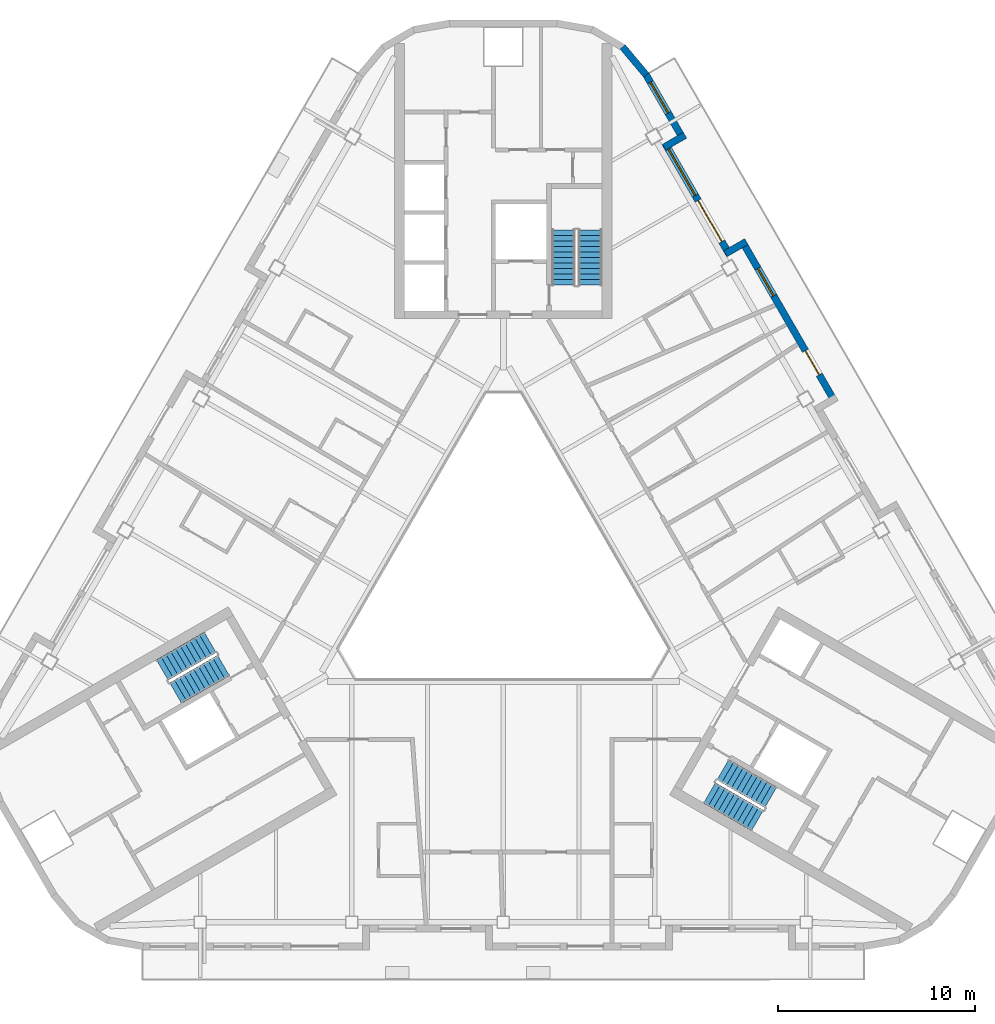
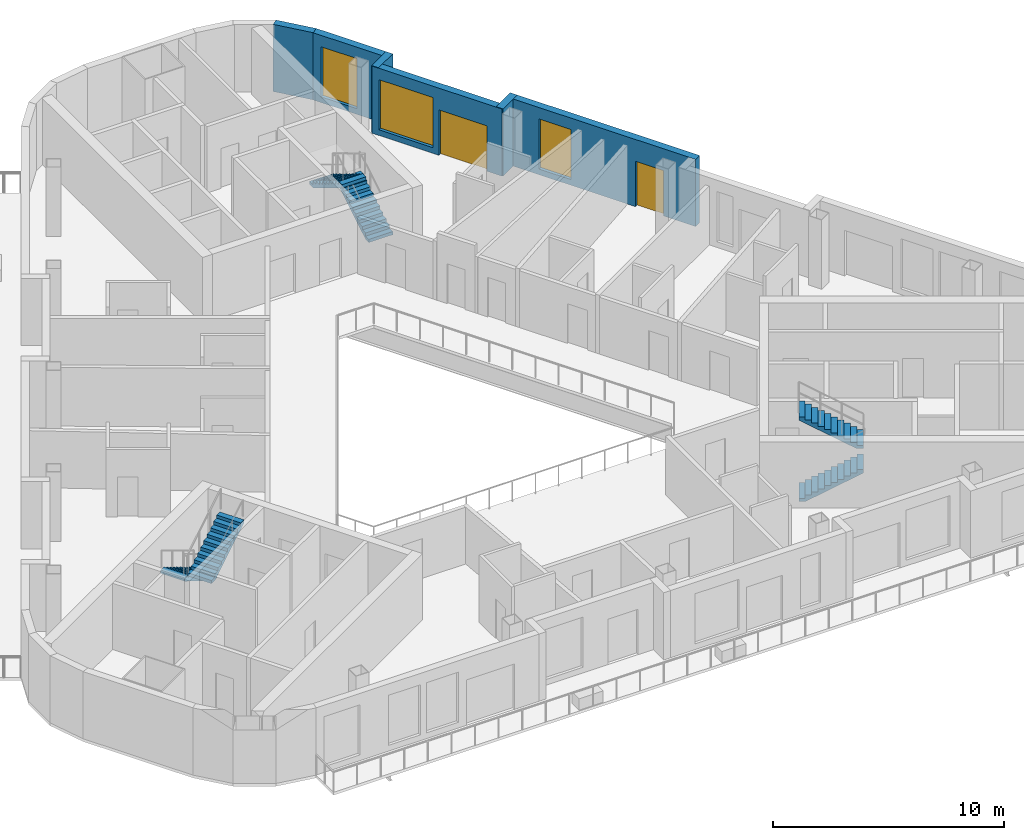
# One storey, part 8 of 14: 6 stair flights, 6 walls, 3 windows, 2 doors, 5 openings, 3 elements without a shape of their own.
"""IFC4 building model written with IfcOpenShell, lengths in metres."""

from ifc_helpers import new_model, si_unit, direction, frame, frame_2d, origin, place, context, subcontext, project, spatial, polyline, rectangle, outline, extrude, material, layer, layer_set, type_object, element, fill, aggregate, save


model = new_model("IFC4")

# Units and contexts
model_context = context("Model", 3, precision=1e-05, world=origin(), true_north=direction((0.0, 1.0)))
body_context = subcontext(model_context, "Body", "Model", "MODEL_VIEW")
ifc_project = project(units=[si_unit("LENGTHUNIT", "METRE"), si_unit("AREAUNIT", "SQUARE_METRE"), si_unit("VOLUMEUNIT", "CUBIC_METRE"), si_unit("PLANEANGLEUNIT", "RADIAN"), si_unit("MASSUNIT", "GRAM", prefix="KILO")], contexts=[model_context])

# Site, building, storey
site_placement = place(None, origin())
site = spatial("IfcSite", under=ifc_project, at=site_placement, CompositionType="ELEMENT")
building_placement = place(site_placement, origin())
building = spatial("IfcBuilding", under=site, at=building_placement, Name="Apuvela Tower Hotel", CompositionType="ELEMENT")
storey_placement = place(building_placement, frame((0.0, 0.0, 261.5)))
storey = spatial("IfcBuildingStorey", under=building, at=storey_placement, Name="L64", CompositionType="ELEMENT", Elevation=261.5)

# Wall, openings, door, window
ifc_material_1 = material(Name="Concrete C40/50, dark pigmented precast panel", Category="concrete")
ifc_layer = layer(ifc_material_1, 0.35009765625)
ifc_layer_set = layer_set([ifc_layer], Name="ENV-WALL-350")
wall_type = type_object("IfcWallType", Name="ENV-WALL-350", PredefinedType="SOLIDWALL", material=ifc_layer_set)
wall_1_placement = place(storey_placement, frame((16.807373046875, 8.66455078125, 0.0), z_axis=(0.0, 0.0, 1.0), x_axis=(-0.499992427901, 0.866029775494, 0.0)))
wall_1 = element("IfcWall", 1, at=wall_1_placement, inside=storey, type_object=wall_type, Name="External wall L64-37", PredefinedType="SOLIDWALL", context=body_context, shape_type="SweptSolid", body=[
    extrude(rectangle(XDim=9.471923828125, YDim=0.35009765625, at=frame_2d((4.73583984375, 0.0))), origin(), (0.0, 0.0, 1.0), 3.550048828125),
])
opening_1_placement = place(wall_1_placement, frame((1.6123046875, 0.0, 0.0)))
opening_1 = element("IfcOpeningElement", 2, at=opening_1_placement, cuts=wall_1, Name="Opening BD14", PredefinedType="OPENING", context=body_context, shape_type="SweptSolid", body=[
    extrude(rectangle(XDim=1.39990234375, YDim=2.39990234375, at=frame_2d((0.699951171875, 1.199951171875))), frame((0.0, 0.18505859375, 0.0), z_axis=(0.0, -1.0, 0.0), x_axis=(1.0, 0.0, 0.0)), (0.0, 0.0, 1.0), 0.3701171875),
])
opening_2_placement = place(wall_1_placement, frame((6.23046875, 0.0, 0.300048828125)))
opening_2 = element("IfcOpeningElement", 3, at=opening_2_placement, cuts=wall_1, Name="Opening WN16", PredefinedType="OPENING", context=body_context, shape_type="SweptSolid", body=[
    extrude(rectangle(XDim=1.60009765625, YDim=2.64990234375, at=frame_2d((0.800048828125, 1.324951171875))), frame((0.0, 0.18505859375, 0.0), z_axis=(0.0, -1.0, 0.0), x_axis=(1.0, 0.0, 0.0)), (0.0, 0.0, 1.0), 0.3701171875),
])
ifc_material_2 = material(Name="Aluminium 6063-T6, dark bronze anodised frame with dark tinted laminated glass", Category="aluminium")
door_type_1 = type_object("IfcDoorType", Name="ENV-DOOR-BALCONY-1400x2400", OperationType="SLIDING_TO_LEFT", PredefinedType="DOOR", material=ifc_material_2)
door_1_placement = place(opening_1_placement, frame((1.39990234375, 0.0, 0.0), z_axis=(0.0, 0.0, 1.0), x_axis=(-1.0, 0.0, 0.0)))
door_1 = element("IfcDoor", 4, at=door_1_placement, inside=storey, type_object=door_type_1, Name="Balcony door BD14", OperationType="SLIDING_TO_LEFT", OverallHeight=2.39990234375, OverallWidth=1.39990234375, PredefinedType="DOOR", context=body_context, shape_type="SweptSolid", body=[
    extrude(rectangle(XDim=1.39990234375, YDim=2.39990234375, at=frame_2d((0.699951171875, 1.199951171875))), frame((0.0, 0.02490234375, 0.0), z_axis=(0.0, -1.0, 0.0), x_axis=(1.0, 0.0, 0.0)), (0.0, 0.0, 1.0), 0.050048828125),
])
fill(opening_1, door_1)
ifc_material_3 = material(Name="Glass, dark tinted laminated insulated glazing unit", Category="glass")
window_type_1 = type_object("IfcWindowType", Name="ENV-WIN-1600x2650", PartitioningType="SINGLE_PANEL", PredefinedType="WINDOW", material=ifc_material_3)
window_1_placement = place(opening_2_placement, origin())
window_1 = element("IfcWindow", 5, at=window_1_placement, inside=storey, type_object=window_type_1, Name="Window WN16", OverallHeight=2.64990234375, OverallWidth=1.60009765625, PartitioningType="SINGLE_PANEL", PredefinedType="WINDOW", context=body_context, shape_type="SweptSolid", body=[
    extrude(rectangle(XDim=1.60009765625, YDim=2.64990234375, at=frame_2d((0.800048828125, 1.324951171875))), frame((0.0, 0.030029296875, 0.0), z_axis=(0.0, -1.0, 0.0), x_axis=(1.0, 0.0, 0.0)), (0.0, 0.0, 1.0), 0.06005859375),
])
fill(opening_2, window_1)

# Wall
wall_2_placement = place(storey_placement, frame((12.310546875, 16.803466796875, 0.0), z_axis=(0.0, 0.0, 1.0), x_axis=(-0.866005645448, -0.500034220881, 0.0)))
element("IfcWall", 6, at=wall_2_placement, inside=storey, type_object=wall_type, Name="External wall L64-38", PredefinedType="SOLIDWALL", context=body_context, shape_type="SweptSolid", body=[
    extrude(rectangle(XDim=1.22021484375, YDim=0.35009765625, at=frame_2d((0.610107421875, 0.0))), origin(), (0.0, 0.0, 1.0), 3.550048828125),
])

# Wall, openings, door, window
wall_3_placement = place(storey_placement, frame((11.451904296875, 16.140380859375, 0.0), z_axis=(0.0, 0.0, 1.0), x_axis=(-0.49998210071, 0.866035737698, 0.0)))
wall_3 = element("IfcWall", 7, at=wall_3_placement, inside=storey, type_object=wall_type, Name="External wall L64-39", PredefinedType="SOLIDWALL", context=body_context, shape_type="SweptSolid", body=[
    extrude(rectangle(XDim=6.511474609375, YDim=0.35009765625, at=frame_2d((3.255859375, 0.0))), origin(), (0.0, 0.0, 1.0), 3.550048828125),
])
opening_3_placement = place(wall_3_placement, frame((0.77001953125, 0.0, 0.0)))
opening_3 = element("IfcOpeningElement", 8, at=opening_3_placement, cuts=wall_3, Name="Opening BD24", PredefinedType="OPENING", context=body_context, shape_type="SweptSolid", body=[
    extrude(rectangle(XDim=2.39990234375, YDim=2.39990234375, at=frame_2d((1.199951171875, 1.199951171875))), frame((0.0, 0.18505859375, 0.0), z_axis=(0.0, -1.0, 0.0), x_axis=(1.0, 0.0, 0.0)), (0.0, 0.0, 1.0), 0.3701171875),
])
opening_4_placement = place(wall_3_placement, frame((3.469970703125, 0.0, 0.300048828125)))
opening_4 = element("IfcOpeningElement", 9, at=opening_4_placement, cuts=wall_3, Name="Opening WN27", PredefinedType="OPENING", context=body_context, shape_type="SweptSolid", body=[
    extrude(rectangle(XDim=2.699951171875, YDim=2.64990234375, at=frame_2d((1.35009765625, 1.324951171875))), frame((0.0, 0.18505859375, 0.0), z_axis=(0.0, -1.0, 0.0), x_axis=(1.0, 0.0, 0.0)), (0.0, 0.0, 1.0), 0.3701171875),
])
door_type_2 = type_object("IfcDoorType", Name="ENV-DOOR-BALCONY-2400x2400", OperationType="SLIDING_TO_LEFT", PredefinedType="DOOR", material=ifc_material_2)
door_2_placement = place(opening_3_placement, frame((2.39990234375, 0.0, 0.0), z_axis=(0.0, 0.0, 1.0), x_axis=(-1.0, 0.0, 0.0)))
door_2 = element("IfcDoor", 10, at=door_2_placement, inside=storey, type_object=door_type_2, Name="Balcony door BD24", OperationType="SLIDING_TO_LEFT", OverallHeight=2.39990234375, OverallWidth=2.39990234375, PredefinedType="DOOR", context=body_context, shape_type="SweptSolid", body=[
    extrude(rectangle(XDim=2.39990234375, YDim=2.39990234375, at=frame_2d((1.199951171875, 1.199951171875))), frame((0.0, 0.02490234375, 0.0), z_axis=(0.0, -1.0, 0.0), x_axis=(1.0, 0.0, 0.0)), (0.0, 0.0, 1.0), 0.050048828125),
])
fill(opening_3, door_2)
window_type_2 = type_object("IfcWindowType", Name="ENV-WIN-2700x2650", PartitioningType="SINGLE_PANEL", PredefinedType="WINDOW", material=ifc_material_3)
window_2_placement = place(opening_4_placement, origin())
window_2 = element("IfcWindow", 11, at=window_2_placement, inside=storey, type_object=window_type_2, Name="Window WN27", OverallHeight=2.64990234375, OverallWidth=2.699951171875, PartitioningType="SINGLE_PANEL", PredefinedType="WINDOW", context=body_context, shape_type="SweptSolid", body=[
    extrude(rectangle(XDim=2.699951171875, YDim=2.64990234375, at=frame_2d((1.35009765625, 1.324951171875))), frame((0.0, 0.030029296875, 0.0), z_axis=(0.0, -1.0, 0.0), x_axis=(1.0, 0.0, 0.0)), (0.0, 0.0, 1.0), 0.06005859375),
])
fill(opening_4, window_2)

# Wall
wall_4_placement = place(storey_placement, frame((8.14306640625, 21.58154296875, 0.0), z_axis=(0.0, 0.0, 1.0), x_axis=(0.866092288191, 0.499884134912, 0.0)))
element("IfcWall", 12, at=wall_4_placement, inside=storey, type_object=wall_type, Name="External wall L64-40", PredefinedType="SOLIDWALL", context=body_context, shape_type="SweptSolid", body=[
    extrude(rectangle(XDim=1.219970703125, YDim=0.35009765625, at=frame_2d((0.60986328125, 0.0))), origin(), (0.0, 0.0, 1.0), 3.550048828125),
])

# Wall, opening, window
wall_5_placement = place(storey_placement, frame((9.135498046875, 21.952392578125, 0.0), z_axis=(0.0, 0.0, 1.0), x_axis=(-0.499972675833, 0.866041178825, 0.0)))
wall_5 = element("IfcWall", 13, at=wall_5_placement, inside=storey, type_object=wall_type, Name="External wall L64-41", PredefinedType="SOLIDWALL", context=body_context, shape_type="SweptSolid", body=[
    extrude(rectangle(XDim=3.828857421875, YDim=0.35009765625, at=frame_2d((1.91455078125, 0.0))), origin(), (0.0, 0.0, 1.0), 3.550048828125),
])
opening_5_placement = place(wall_5_placement, frame((1.5751953125, 0.0, 0.300048828125)))
opening_5 = element("IfcOpeningElement", 14, at=opening_5_placement, cuts=wall_5, Name="Opening WN18", PredefinedType="OPENING", context=body_context, shape_type="SweptSolid", body=[
    extrude(rectangle(XDim=1.800048828125, YDim=2.64990234375, at=frame_2d((0.89990234375, 1.324951171875))), frame((0.0, 0.18505859375, 0.0), z_axis=(0.0, -1.0, 0.0), x_axis=(1.0, 0.0, 0.0)), (0.0, 0.0, 1.0), 0.3701171875),
])
window_type_3 = type_object("IfcWindowType", Name="ENV-WIN-1800x2650", PartitioningType="SINGLE_PANEL", PredefinedType="WINDOW", material=ifc_material_3)
window_3_placement = place(opening_5_placement, origin())
window_3 = element("IfcWindow", 15, at=window_3_placement, inside=storey, type_object=window_type_3, Name="Window WN18", OverallHeight=2.64990234375, OverallWidth=1.800048828125, PartitioningType="SINGLE_PANEL", PredefinedType="WINDOW", context=body_context, shape_type="SweptSolid", body=[
    extrude(rectangle(XDim=1.800048828125, YDim=2.64990234375, at=frame_2d((0.89990234375, 1.324951171875))), frame((0.0, 0.030029296875, 0.0), z_axis=(0.0, -1.0, 0.0), x_axis=(1.0, 0.0, 0.0)), (0.0, 0.0, 1.0), 0.06005859375),
])
fill(opening_5, window_3)

# Wall
wall_6_placement = place(storey_placement, frame((7.23876953125, 25.2431640625, 0.0), z_axis=(0.0, 0.0, 1.0), x_axis=(-0.642756798522, 0.7660702957, 0.0)))
element("IfcWall", 16, at=wall_6_placement, inside=storey, type_object=wall_type, Name="External wall L64-42", PredefinedType="SOLIDWALL", context=body_context, shape_type="SweptSolid", body=[
    extrude(rectangle(XDim=1.855224609375, YDim=0.35009765625, at=frame_2d((0.927734375, 0.0))), origin(), (0.0, 0.0, 1.0), 3.550048828125),
])

# Stair, stair flights
ifc_material_4 = material(Name="Concrete C50/60", Category="concrete")
stair_type = type_object("IfcStairType", Name="COR-STAIR-22R", PredefinedType="HALF_TURN_STAIR", material=ifc_material_4)
stair_1_placement = place(storey_placement, origin())
stair_1 = element("IfcStair", 17, at=stair_1_placement, inside=storey, type_object=stair_type, Name="L64 Exit stair ST1", PredefinedType="HALF_TURN_STAIR")
stair_flight_type = type_object("IfcStairFlightType", Name="COR-FLIGHT-11R", PredefinedType="STRAIGHT", material=ifc_material_4)
stair_flight_1_placement = place(storey_placement, frame((4.39990234375, 14.60009765625, 0.0), z_axis=(0.0, 0.0, 1.0), x_axis=(0.0, 1.0, 0.0)))
stair_flight_1 = element("IfcStairFlight", 18, at=stair_flight_1_placement, type_object=stair_flight_type, Name="ST1 flight 1", NumberOfRisers=11, NumberOfTreads=10, PredefinedType="STRAIGHT", RiserHeight=0.168181818, TreadLength=0.28, context=body_context, shape_type="SweptSolid", body=[
    extrude(outline(polyline([(0.0, 0.0), (0.0, 0.168212890625), (0.280029296875, 0.168212890625), (0.280029296875, 0.33642578125), (0.56005859375, 0.33642578125), (0.56005859375, 0.504638671875), (0.840087890625, 0.504638671875), (0.840087890625, 0.672607421875), (1.1201171875, 0.672607421875), (1.1201171875, 0.8408203125), (1.39990234375, 0.8408203125), (1.39990234375, 1.009033203125), (1.679931640625, 1.009033203125), (1.679931640625, 1.17724609375), (1.9599609375, 1.17724609375), (1.9599609375, 1.345458984375), (2.239990234375, 1.345458984375), (2.239990234375, 1.513671875), (2.52001953125, 1.513671875), (2.52001953125, 1.681884765625), (2.800048828125, 1.681884765625), (2.800048828125, 1.85009765625), (2.800048828125, 1.5068359375), (0.291015625, 0.0), (0.0, 0.0)])), frame((0.0, 0.60009765625, 0.0), z_axis=(0.0, -1.0, 0.0), x_axis=(1.0, 0.0, 0.0)), (0.0, 0.0, 1.0), 1.199951171875),
])
stair_flight_2_placement = place(storey_placement, frame((3.050048828125, 17.39990234375, 1.85009765625), z_axis=(0.0, 0.0, 1.0), x_axis=(0.0, -1.0, 0.0)))
stair_flight_2 = element("IfcStairFlight", 19, at=stair_flight_2_placement, type_object=stair_flight_type, Name="ST1 flight 2", NumberOfRisers=11, NumberOfTreads=10, PredefinedType="STRAIGHT", RiserHeight=0.168181818, TreadLength=0.28, context=body_context, shape_type="SweptSolid", body=[
    extrude(outline(polyline([(0.0, 0.0), (0.0, 0.168212890625), (0.280029296875, 0.168212890625), (0.280029296875, 0.33642578125), (0.56005859375, 0.33642578125), (0.56005859375, 0.504638671875), (0.840087890625, 0.504638671875), (0.840087890625, 0.672607421875), (1.1201171875, 0.672607421875), (1.1201171875, 0.8408203125), (1.39990234375, 0.8408203125), (1.39990234375, 1.009033203125), (1.679931640625, 1.009033203125), (1.679931640625, 1.17724609375), (1.9599609375, 1.17724609375), (1.9599609375, 1.345458984375), (2.239990234375, 1.345458984375), (2.239990234375, 1.513671875), (2.52001953125, 1.513671875), (2.52001953125, 1.681884765625), (2.800048828125, 1.681884765625), (2.800048828125, 1.85009765625), (2.800048828125, 1.5068359375), (0.291015625, 0.0), (0.0, 0.0)])), frame((0.0, 0.60009765625, 0.0), z_axis=(0.0, -1.0, 0.0), x_axis=(1.0, 0.0, 0.0)), (0.0, 0.0, 1.0), 1.199951171875),
])
aggregate(stair_1, [stair_flight_1, stair_flight_2])

stair_2_placement = place(storey_placement, origin())
stair_2 = element("IfcStair", 20, at=stair_2_placement, inside=storey, type_object=stair_type, Name="L64 Exit stair ST2", PredefinedType="HALF_TURN_STAIR")
stair_flight_3_placement = place(storey_placement, frame((-14.843994140625, -3.489501953125, 0.0), z_axis=(0.0, 0.0, 1.0), x_axis=(-0.866025403784, -0.5, 0.0)))
stair_flight_3 = element("IfcStairFlight", 21, at=stair_flight_3_placement, type_object=stair_flight_type, Name="ST2 flight 1", NumberOfRisers=11, NumberOfTreads=10, PredefinedType="STRAIGHT", RiserHeight=0.168181818, TreadLength=0.28, context=body_context, shape_type="SweptSolid", body=[
    extrude(outline(polyline([(0.0, 0.0), (0.0, 0.168212890625), (0.280029296875, 0.168212890625), (0.280029296875, 0.33642578125), (0.56005859375, 0.33642578125), (0.56005859375, 0.504638671875), (0.840087890625, 0.504638671875), (0.840087890625, 0.672607421875), (1.1201171875, 0.672607421875), (1.1201171875, 0.8408203125), (1.39990234375, 0.8408203125), (1.39990234375, 1.009033203125), (1.679931640625, 1.009033203125), (1.679931640625, 1.17724609375), (1.9599609375, 1.17724609375), (1.9599609375, 1.345458984375), (2.239990234375, 1.345458984375), (2.239990234375, 1.513671875), (2.52001953125, 1.513671875), (2.52001953125, 1.681884765625), (2.800048828125, 1.681884765625), (2.800048828125, 1.85009765625), (2.800048828125, 1.5068359375), (0.291015625, 0.0), (0.0, 0.0)])), frame((0.0, 0.60009765625, 0.0), z_axis=(0.0, -1.0, 0.0), x_axis=(1.0, 0.0, 0.0)), (0.0, 0.0, 1.0), 1.199951171875),
])
stair_flight_4_placement = place(storey_placement, frame((-16.59375, -6.05859375, 1.85009765625), z_axis=(0.0, 0.0, 1.0), x_axis=(0.866025403784, 0.5, 0.0)))
stair_flight_4 = element("IfcStairFlight", 22, at=stair_flight_4_placement, type_object=stair_flight_type, Name="ST2 flight 2", NumberOfRisers=11, NumberOfTreads=10, PredefinedType="STRAIGHT", RiserHeight=0.168181818, TreadLength=0.28, context=body_context, shape_type="SweptSolid", body=[
    extrude(outline(polyline([(0.0, 0.0), (0.0, 0.168212890625), (0.280029296875, 0.168212890625), (0.280029296875, 0.33642578125), (0.56005859375, 0.33642578125), (0.56005859375, 0.504638671875), (0.840087890625, 0.504638671875), (0.840087890625, 0.672607421875), (1.1201171875, 0.672607421875), (1.1201171875, 0.8408203125), (1.39990234375, 0.8408203125), (1.39990234375, 1.009033203125), (1.679931640625, 1.009033203125), (1.679931640625, 1.17724609375), (1.9599609375, 1.17724609375), (1.9599609375, 1.345458984375), (2.239990234375, 1.345458984375), (2.239990234375, 1.513671875), (2.52001953125, 1.513671875), (2.52001953125, 1.681884765625), (2.800048828125, 1.681884765625), (2.800048828125, 1.85009765625), (2.800048828125, 1.5068359375), (0.291015625, 0.0), (0.0, 0.0)])), frame((0.0, 0.60009765625, 0.0), z_axis=(0.0, -1.0, 0.0), x_axis=(1.0, 0.0, 0.0)), (0.0, 0.0, 1.0), 1.199951171875),
])
aggregate(stair_2, [stair_flight_3, stair_flight_4])

stair_3_placement = place(storey_placement, origin())
stair_3 = element("IfcStair", 23, at=stair_3_placement, inside=storey, type_object=stair_type, Name="L64 Exit stair ST3", PredefinedType="HALF_TURN_STAIR")
stair_flight_5_placement = place(storey_placement, frame((10.444091796875, -11.110595703125, 0.0), z_axis=(0.0, 0.0, 1.0), x_axis=(0.866025403784, -0.5, 0.0)))
stair_flight_5 = element("IfcStairFlight", 24, at=stair_flight_5_placement, type_object=stair_flight_type, Name="ST3 flight 1", NumberOfRisers=11, NumberOfTreads=10, PredefinedType="STRAIGHT", RiserHeight=0.168181818, TreadLength=0.28, context=body_context, shape_type="SweptSolid", body=[
    extrude(outline(polyline([(0.0, 0.0), (0.0, 0.168212890625), (0.280029296875, 0.168212890625), (0.280029296875, 0.33642578125), (0.56005859375, 0.33642578125), (0.56005859375, 0.504638671875), (0.840087890625, 0.504638671875), (0.840087890625, 0.672607421875), (1.1201171875, 0.672607421875), (1.1201171875, 0.8408203125), (1.39990234375, 0.8408203125), (1.39990234375, 1.009033203125), (1.679931640625, 1.009033203125), (1.679931640625, 1.17724609375), (1.9599609375, 1.17724609375), (1.9599609375, 1.345458984375), (2.239990234375, 1.345458984375), (2.239990234375, 1.513671875), (2.52001953125, 1.513671875), (2.52001953125, 1.681884765625), (2.800048828125, 1.681884765625), (2.800048828125, 1.85009765625), (2.800048828125, 1.5068359375), (0.291015625, 0.0), (0.0, 0.0)])), frame((0.0, 0.60009765625, 0.0), z_axis=(0.0, -1.0, 0.0), x_axis=(1.0, 0.0, 0.0)), (0.0, 0.0, 1.0), 1.199951171875),
])
stair_flight_6_placement = place(storey_placement, frame((13.5439453125, -11.34130859375, 1.85009765625), z_axis=(0.0, 0.0, 1.0), x_axis=(-0.866025403784, 0.5, 0.0)))
stair_flight_6 = element("IfcStairFlight", 25, at=stair_flight_6_placement, type_object=stair_flight_type, Name="ST3 flight 2", NumberOfRisers=11, NumberOfTreads=10, PredefinedType="STRAIGHT", RiserHeight=0.168181818, TreadLength=0.28, context=body_context, shape_type="SweptSolid", body=[
    extrude(outline(polyline([(0.0, 0.0), (0.0, 0.168212890625), (0.280029296875, 0.168212890625), (0.280029296875, 0.33642578125), (0.56005859375, 0.33642578125), (0.56005859375, 0.504638671875), (0.840087890625, 0.504638671875), (0.840087890625, 0.672607421875), (1.1201171875, 0.672607421875), (1.1201171875, 0.8408203125), (1.39990234375, 0.8408203125), (1.39990234375, 1.009033203125), (1.679931640625, 1.009033203125), (1.679931640625, 1.17724609375), (1.9599609375, 1.17724609375), (1.9599609375, 1.345458984375), (2.239990234375, 1.345458984375), (2.239990234375, 1.513671875), (2.52001953125, 1.513671875), (2.52001953125, 1.681884765625), (2.800048828125, 1.681884765625), (2.800048828125, 1.85009765625), (2.800048828125, 1.5068359375), (0.291015625, 0.0), (0.0, 0.0)])), frame((0.0, 0.60009765625, 0.0), z_axis=(0.0, -1.0, 0.0), x_axis=(1.0, 0.0, 0.0)), (0.0, 0.0, 1.0), 1.199951171875),
])
aggregate(stair_3, [stair_flight_5, stair_flight_6])

save(model, "model.ifc")
